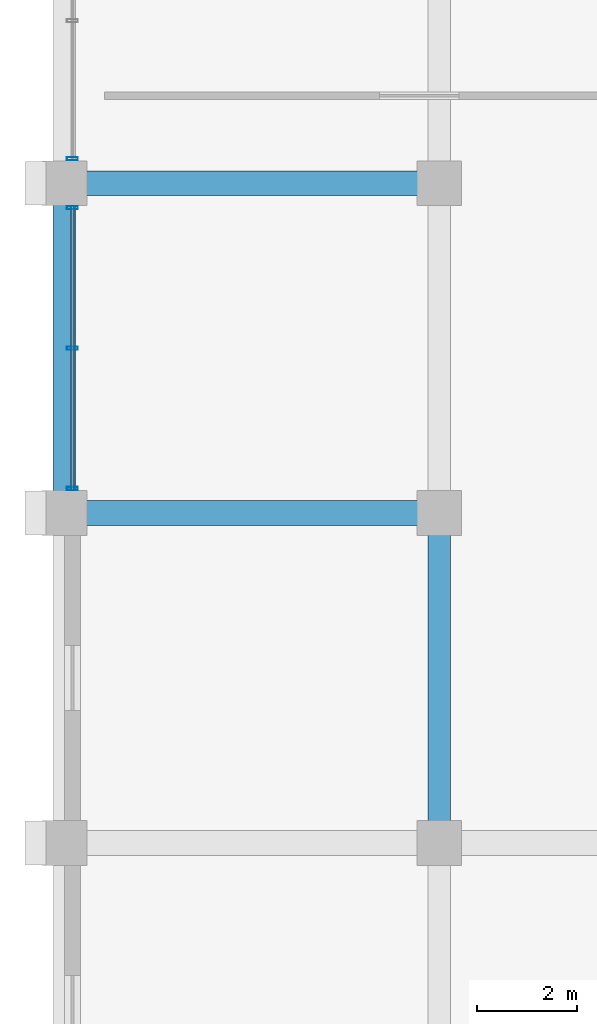
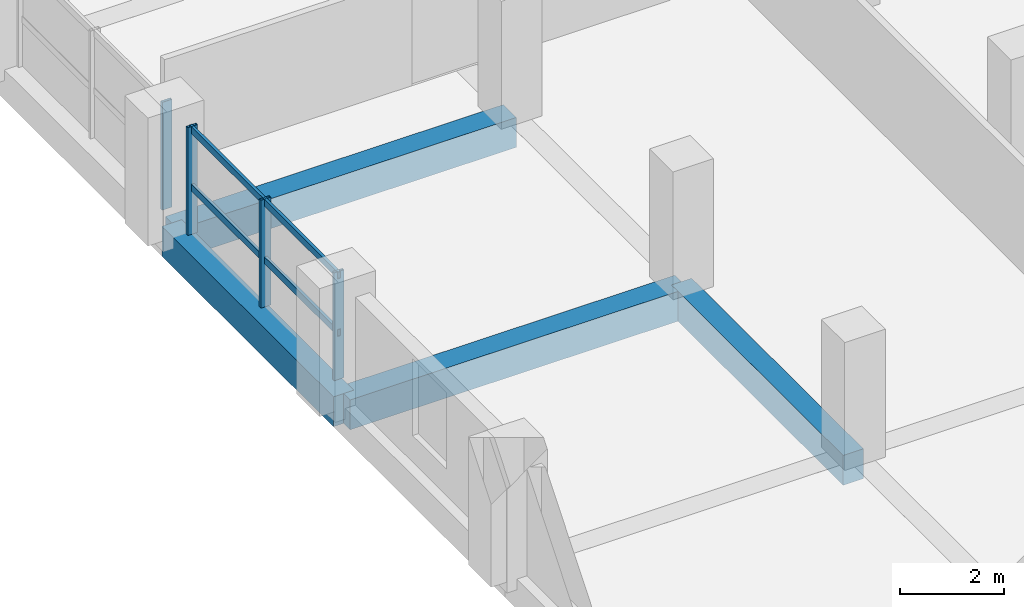
# One storey, part 4 of 21: 6 members, 4 beams, 2 elements without a shape of their own.
"""IFC4 building model written with IfcOpenShell, lengths in metres."""

from ifc_helpers import new_model, si_unit, direction, frame, origin, origin_2d, place, context, subcontext, project, spatial, rectangle, hollow_rectangle, extrude, material, material_profile, profile_set, type_object, element, aggregate, save


model = new_model("IFC4")

# Units and contexts
model_context = context("Model", 3, precision=1e-05, world=origin(), true_north=direction((0.0, 1.0)))
body_context = subcontext(model_context, "Body", "Model", "MODEL_VIEW")
ifc_project = project(units=[si_unit("LENGTHUNIT", "METRE"), si_unit("AREAUNIT", "SQUARE_METRE"), si_unit("VOLUMEUNIT", "CUBIC_METRE"), si_unit("PLANEANGLEUNIT", "RADIAN"), si_unit("MASSUNIT", "GRAM", prefix="KILO")], contexts=[model_context])

# Site, building, storey
site_placement = place(None, origin())
site = spatial("IfcSite", under=ifc_project, at=site_placement, CompositionType="ELEMENT")
building_placement = place(site_placement, origin())
building = spatial("IfcBuilding", under=site, at=building_placement, Name="Akrevak Sports Hall", CompositionType="ELEMENT")
storey_placement = place(building_placement, frame((0.0, 0.0, 34.050048828125)))
storey = spatial("IfcBuildingStorey", under=building, at=storey_placement, Name="L07", CompositionType="ELEMENT", Elevation=34.050048828125)

# Curtain wall, member
ifc_material_1 = material(Name="Anodized Bronze Aluminium & Low-E Glass", Category="aluminium")
curtain_wall_type = type_object("IfcCurtainWallType", Name="ARC-CW-TWR-56x30", PredefinedType="NOTDEFINED", material=ifc_material_1)
curtain_wall_1_placement = place(storey_placement, origin())
curtain_wall_1 = element("IfcCurtainWall", 1, at=curtain_wall_1_placement, inside=storey, type_object=curtain_wall_type, Name="Curtain Wall CW-L07-W30", PredefinedType="NOTDEFINED")
ifc_material_2 = material(Name="Anodized Bronze Aluminium", Category="aluminium")
ifc_material_profile_1 = material_profile(ifc_material_2, hollow_rectangle(XDim=0.06494140625, YDim=0.219970703125, WallThickness=0.00439453125, at=origin_2d()), Name="CWM 65x220", Category="aluminium")
ifc_profile_set_1 = profile_set([ifc_material_profile_1], Name="Anodized Bronze Aluminium")
member_type_1 = type_object("IfcMemberType", Name="ARC-CWM-70x160", PredefinedType="MULLION", material=ifc_profile_set_1)
member_1_placement = place(storey_placement, frame((45.159912109375, 49.090087890625, 0.0), z_axis=(0.0, 0.0, 1.0), x_axis=(0.0, -1.0, 0.0)))
member_1 = element("IfcMember", 2, at=member_1_placement, type_object=member_type_1, Name="Curtain Wall Mullion CW-L07-W30-M3", PredefinedType="MULLION", context=body_context, shape_type="SweptSolid", body=[
    extrude(hollow_rectangle(XDim=0.06494140625, YDim=0.219970703125, WallThickness=0.00439453125, at=origin_2d()), origin(), (0.0, 0.0, 1.0), 2.530029296875),
])
aggregate(curtain_wall_1, [member_1])

# Curtain wall, members
curtain_wall_2_placement = place(storey_placement, origin())
curtain_wall_2 = element("IfcCurtainWall", 3, at=curtain_wall_2_placement, inside=storey, type_object=curtain_wall_type, Name="Curtain Wall CW-L07-W31", PredefinedType="NOTDEFINED")
member_2_placement = place(storey_placement, frame((45.159912109375, 48.110107421875, 0.0), z_axis=(0.0, 0.0, 1.0), x_axis=(0.0, -1.0, 0.0)))
member_2 = element("IfcMember", 4, at=member_2_placement, type_object=member_type_1, Name="Curtain Wall Mullion CW-L07-W31-M1", PredefinedType="MULLION", context=body_context, shape_type="SweptSolid", body=[
    extrude(hollow_rectangle(XDim=0.06494140625, YDim=0.219970703125, WallThickness=0.00439453125, at=origin_2d()), origin(), (0.0, 0.0, 1.0), 2.530029296875),
])
member_3_placement = place(storey_placement, frame((45.159912109375, 45.300048828125, 0.0), z_axis=(0.0, 0.0, 1.0), x_axis=(0.0, -1.0, 0.0)))
member_3 = element("IfcMember", 5, at=member_3_placement, type_object=member_type_1, Name="Curtain Wall Mullion CW-L07-W31-M2", PredefinedType="MULLION", context=body_context, shape_type="SweptSolid", body=[
    extrude(hollow_rectangle(XDim=0.06494140625, YDim=0.219970703125, WallThickness=0.00439453125, at=origin_2d()), origin(), (0.0, 0.0, 1.0), 2.530029296875),
])
member_4_placement = place(storey_placement, frame((45.159912109375, 42.489990234375, 0.0), z_axis=(0.0, 0.0, 1.0), x_axis=(0.0, -1.0, 0.0)))
member_4 = element("IfcMember", 6, at=member_4_placement, type_object=member_type_1, Name="Curtain Wall Mullion CW-L07-W31-M3", PredefinedType="MULLION", context=body_context, shape_type="SweptSolid", body=[
    extrude(hollow_rectangle(XDim=0.06494140625, YDim=0.219970703125, WallThickness=0.00439453125, at=origin_2d()), origin(), (0.0, 0.0, 1.0), 2.530029296875),
])
ifc_material_profile_2 = material_profile(ifc_material_2, hollow_rectangle(XDim=0.06494140625, YDim=0.159912109375, WallThickness=0.00390625, at=origin_2d()), Name="CWT 65x160", Category="aluminium")
ifc_profile_set_2 = profile_set([ifc_material_profile_2], Name="Anodized Bronze Aluminium")
member_type_2 = type_object("IfcMemberType", Name="ARC-CWT-70x130", PredefinedType="USERDEFINED", material=ifc_profile_set_2)
member_5_placement = place(storey_placement, frame((45.159912109375, 48.14990234375, 1.099853515625), z_axis=(0.0, -1.0, 0.0), x_axis=(1.0, 0.0, 0.0)))
member_5 = element("IfcMember", 7, at=member_5_placement, type_object=member_type_2, Name="Curtain Wall Transom CW-L07-W31-T1", ObjectType="TRANSOM", PredefinedType="USERDEFINED", context=body_context, shape_type="SweptSolid", body=[
    extrude(hollow_rectangle(XDim=0.06494140625, YDim=0.159912109375, WallThickness=0.00390625, at=origin_2d()), origin(), (0.0, 0.0, 1.0), 5.699951171875),
])
member_6_placement = place(storey_placement, frame((45.159912109375, 48.14990234375, 2.449951171875), z_axis=(0.0, -1.0, 0.0), x_axis=(1.0, 0.0, 0.0)))
member_6 = element("IfcMember", 8, at=member_6_placement, type_object=member_type_2, Name="Curtain Wall Transom CW-L07-W31-T2", ObjectType="TRANSOM", PredefinedType="USERDEFINED", context=body_context, shape_type="SweptSolid", body=[
    extrude(hollow_rectangle(XDim=0.06494140625, YDim=0.159912109375, WallThickness=0.00390625, at=origin_2d()), origin(), (0.0, 0.0, 1.0), 5.699951171875),
])
aggregate(curtain_wall_2, [member_2, member_3, member_4, member_5, member_6])

# Beams
ifc_material_3 = material(Name="Concrete C40/50", Category="concrete")
ifc_material_profile_3 = material_profile(ifc_material_3, rectangle(XDim=0.449951171875, YDim=0.699951171875, at=origin_2d()), Name="BM 450x700", Category="concrete")
ifc_profile_set_3 = profile_set([ifc_material_profile_3], Name="Concrete C40/50")
beam_type_1 = type_object("IfcBeamType", Name="STR-BM-RC450x700", PredefinedType="BEAM", material=ifc_profile_set_3)
for number, where, z_axis, x_axis, name in (
    (9, (45.0, 42.0, -0.35009765625), (0.0, 1.0, 0.0), (-1.0, 0.0, 0.0), "Girder 7/G-H (L07)"),
    (10, (52.5, 35.39990234375, -0.35009765625), (0.0, 1.0, 0.0), (-1.0, 0.0, 0.0), "Girder 8/F-G (L07)"),
):
    element("IfcBeam", number, at=place(storey_placement, frame(where, z_axis=z_axis, x_axis=x_axis)), inside=storey, type_object=beam_type_1, Name=name, PredefinedType="BEAM", context=body_context, shape_type="SweptSolid", body=[
        extrude(rectangle(XDim=0.449951171875, YDim=0.699951171875, at=origin_2d()), origin(), (0.0, 0.0, 1.0), 6.60009765625),
    ])
ifc_material_profile_4 = material_profile(ifc_material_3, rectangle(XDim=0.5, YDim=0.699951171875, at=origin_2d()), Name="BM 500x700", Category="concrete")
ifc_profile_set_4 = profile_set([ifc_material_profile_4], Name="Concrete C40/50")
beam_type_2 = type_object("IfcBeamType", Name="STR-BM-RC500x700", PredefinedType="BEAM", material=ifc_profile_set_4)
for number, where, z_axis, x_axis, name in (
    (11, (45.0, 42.0, -0.35009765625), (1.0, 0.0, 0.0), (0.0, 1.0, 0.0), "Girder G/7-8 (L07)"),
    (12, (45.0, 48.60009765625, -0.35009765625), (1.0, 0.0, 0.0), (0.0, 1.0, 0.0), "Girder H/7-8 (L07)"),
):
    element("IfcBeam", number, at=place(storey_placement, frame(where, z_axis=z_axis, x_axis=x_axis)), inside=storey, type_object=beam_type_2, Name=name, PredefinedType="BEAM", context=body_context, shape_type="SweptSolid", body=[
        extrude(rectangle(XDim=0.5, YDim=0.699951171875, at=origin_2d()), origin(), (0.0, 0.0, 1.0), 7.5),
    ])

save(model, "model.ifc")
